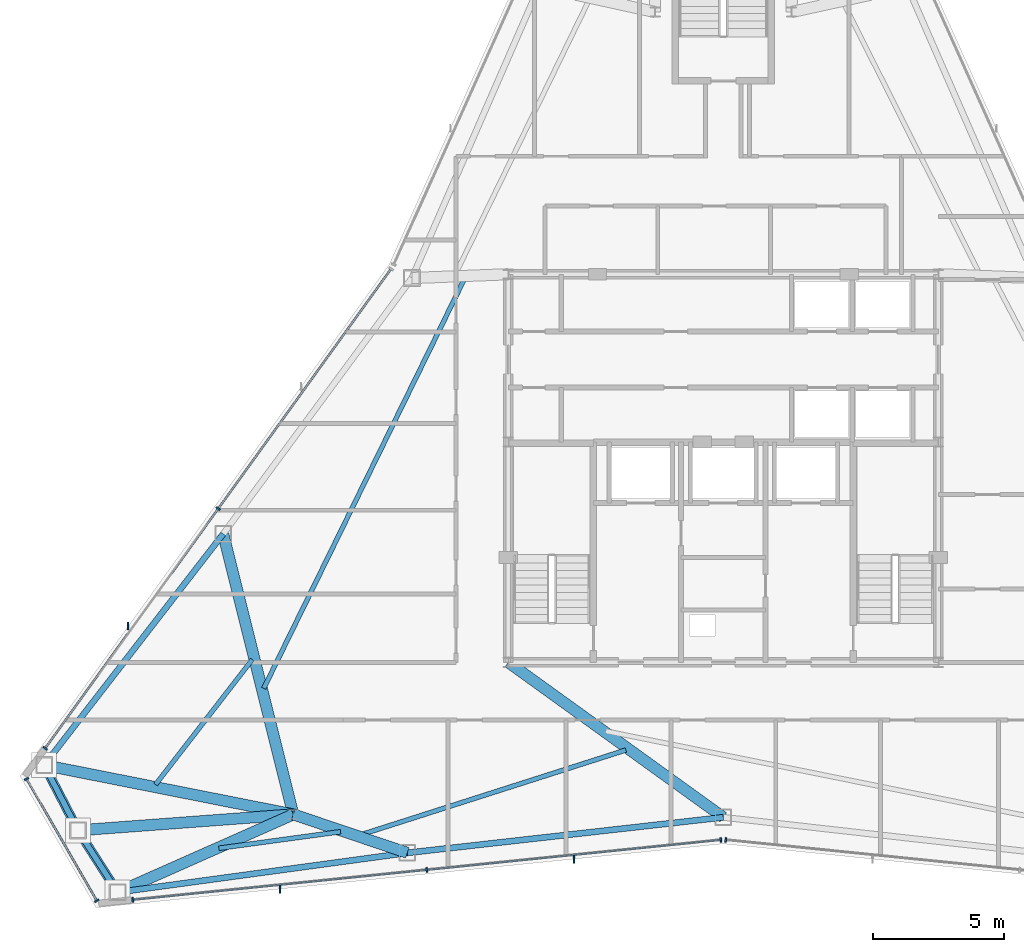
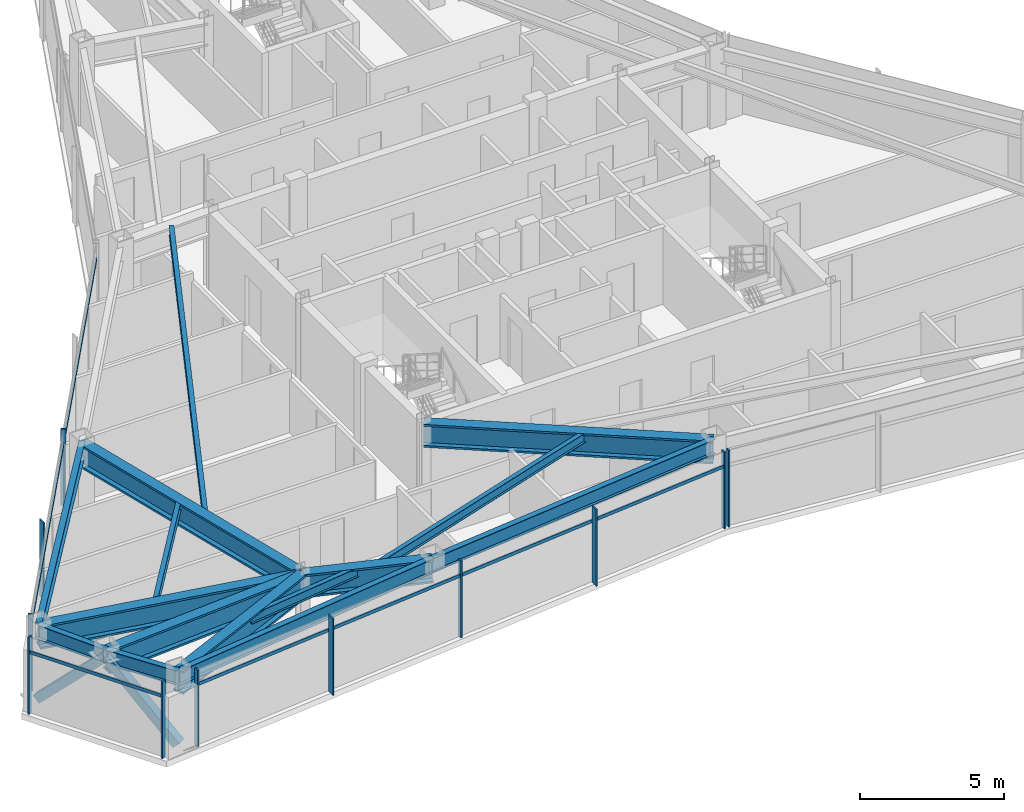
# One storey, part 3 of 12: 16 members, 15 beams, 4 elements without a shape of their own.
"""IFC4 building model written with IfcOpenShell, lengths in metres."""

from ifc_helpers import new_model, si_unit, direction, frame, origin, origin_2d, place, context, subcontext, project, spatial, rectangle, hollow_rectangle, i_section, extrude, source, transform, mapped, material, layer, layer_set, material_profile, profile_set, type_object, type_shapes, element, aggregate, save


model = new_model("IFC4")

# Units and contexts
model_context = context("Model", 3, precision=1e-05, world=origin(), true_north=direction((0.0, 1.0)))
body_context = subcontext(model_context, "Body", "Model", "MODEL_VIEW")
ifc_project = project(units=[si_unit("LENGTHUNIT", "METRE"), si_unit("AREAUNIT", "SQUARE_METRE"), si_unit("VOLUMEUNIT", "CUBIC_METRE"), si_unit("PLANEANGLEUNIT", "RADIAN"), si_unit("MASSUNIT", "GRAM", prefix="KILO")], contexts=[model_context])

# Site, building, storey
site_placement = place(None, origin())
site = spatial("IfcSite", under=ifc_project, at=site_placement, CompositionType="ELEMENT")
building_placement = place(site_placement, origin())
building = spatial("IfcBuilding", under=site, at=building_placement, Name="Varakhsha Concourse Tower", CompositionType="ELEMENT")
storey_placement = place(building_placement, frame((0.0, 0.0, 262.0)))
storey = spatial("IfcBuildingStorey", under=building, at=storey_placement, Name="L74", CompositionType="ELEMENT", Elevation=262.0)

# Beams
ifc_material_1 = material(Name="Structural Steel ASTM A992 Grade 50", Category="steel")
ifc_material_profile_1 = material_profile(ifc_material_1, i_section(OverallWidth=0.177978515625, OverallDepth=0.406982421875, WebThickness=0.008056640625, FlangeThickness=0.012939453125, at=origin_2d()), Name="W16X40")
ifc_profile_set_1 = profile_set([ifc_material_profile_1], Name="Structural Steel ASTM A992 Grade 50")
beam_type_1 = type_object("IfcBeamType", Name="BM-JST-W16X40", PredefinedType="JOIST", material=ifc_profile_set_1)
beam_1_placement = place(storey_placement, frame((30.135009765625, 31.03759765625, 3.04638671875), z_axis=(-0.440148570634, -0.897924961101, 0.0), x_axis=(0.897924961101, -0.440148570634, 0.0)))
element("IfcBeam", 1, at=beam_1_placement, inside=storey, type_object=beam_type_1, Name="BM-TJST-L74-05", PredefinedType="JOIST", context=body_context, shape_type="SweptSolid", body=[
    extrude(i_section(OverallWidth=0.177978515625, OverallDepth=0.406982421875, WebThickness=0.008056640625, FlangeThickness=0.012939453125, at=origin_2d()), origin(), (0.0, 0.0, 1.0), 17.4091796875),
])
beam_2_placement = place(storey_placement, frame((22.035888671875, 16.50341796875, 3.04638671875), z_axis=(-0.612222230768, -0.790685740452, 0.0), x_axis=(0.790685740452, -0.612222230768, 0.0)))
element("IfcBeam", 2, at=beam_2_placement, inside=storey, type_object=beam_type_1, Name="BM-TJST-L74-06", PredefinedType="JOIST", context=body_context, shape_type="SweptSolid", body=[
    extrude(i_section(OverallWidth=0.177978515625, OverallDepth=0.406982421875, WebThickness=0.008056640625, FlangeThickness=0.012939453125, at=origin_2d()), origin(), (0.0, 0.0, 1.0), 6.024658203125),
])
beam_3_placement = place(storey_placement, frame((20.760986328125, 9.30810546875, 3.04638671875), z_axis=(0.990870382928, 0.134817967037, 0.0), x_axis=(-0.134817967037, 0.990870382928, 0.0)))
element("IfcBeam", 3, at=beam_3_placement, inside=storey, type_object=beam_type_1, Name="BM-TJST-L74-09", PredefinedType="JOIST", context=body_context, shape_type="SweptSolid", body=[
    extrude(i_section(OverallWidth=0.177978515625, OverallDepth=0.406982421875, WebThickness=0.008056640625, FlangeThickness=0.012939453125, at=origin_2d()), origin(), (0.0, 0.0, 1.0), 4.6865234375),
])
beam_4_placement = place(storey_placement, frame((26.140625, 9.8125, 3.04638671875), z_axis=(0.952511924863, 0.304501285701, 0.0), x_axis=(-0.304501285701, 0.952511924863, 0.0)))
element("IfcBeam", 4, at=beam_4_placement, inside=storey, type_object=beam_type_1, Name="BM-TJST-L74-10", PredefinedType="JOIST", context=body_context, shape_type="SweptSolid", body=[
    extrude(i_section(OverallWidth=0.177978515625, OverallDepth=0.406982421875, WebThickness=0.008056640625, FlangeThickness=0.012939453125, at=origin_2d()), origin(), (0.0, 0.0, 1.0), 10.65234375),
])
ifc_material_profile_2 = material_profile(ifc_material_1, i_section(OverallWidth=0.22900390625, OverallDepth=0.612060546875, WebThickness=0.011962890625, FlangeThickness=0.02001953125, at=origin_2d()), Name="W24X84")
ifc_profile_set_2 = profile_set([ifc_material_profile_2], Name="Structural Steel ASTM A992 Grade 50")
beam_type_2 = type_object("IfcBeamType", Name="BM-SPAN-W24X84", PredefinedType="SPANDREL", material=ifc_profile_set_2)
beam_5_placement = place(storey_placement, frame((20.92724609375, 21.29736328125, 2.944091796875), z_axis=(-0.612217348488, -0.790689520741, 0.0), x_axis=(0.790689520741, -0.612217348488, 0.0)))
element("IfcBeam", 5, at=beam_5_placement, inside=storey, type_object=beam_type_2, Name="BM-SPAN-L74-06", PredefinedType="SPANDREL", context=body_context, shape_type="SweptSolid", body=[
    extrude(i_section(OverallWidth=0.22900390625, OverallDepth=0.612060546875, WebThickness=0.011962890625, FlangeThickness=0.02001953125, at=origin_2d()), origin(), (0.0, 0.0, 1.0), 11.151611328125),
])
beam_6_placement = place(storey_placement, frame((14.10009765625, 12.47998046875, 2.944091796875), z_axis=(0.460230722474, -0.887799347877, 0.0), x_axis=(0.887799347877, 0.460230722474, 0.0)))
element("IfcBeam", 6, at=beam_6_placement, inside=storey, type_object=beam_type_2, Name="BM-SPAN-L74-07", PredefinedType="SPANDREL", context=body_context, shape_type="SweptSolid", body=[
    extrude(i_section(OverallWidth=0.22900390625, OverallDepth=0.612060546875, WebThickness=0.011962890625, FlangeThickness=0.02001953125, at=origin_2d()), origin(), (0.0, 0.0, 1.0), 2.802978515625),
])
beam_7_placement = place(storey_placement, frame((15.39013671875, 9.991455078125, 2.944091796875), z_axis=(0.538762033455, -0.842457993794, 0.0), x_axis=(0.842457993794, 0.538762033455, 0.0)))
element("IfcBeam", 7, at=beam_7_placement, inside=storey, type_object=beam_type_2, Name="BM-SPAN-L74-08", PredefinedType="SPANDREL", context=body_context, shape_type="SweptSolid", body=[
    extrude(i_section(OverallWidth=0.22900390625, OverallDepth=0.612060546875, WebThickness=0.011962890625, FlangeThickness=0.02001953125, at=origin_2d()), origin(), (0.0, 0.0, 1.0), 2.80322265625),
])
beam_8_placement = place(storey_placement, frame((16.900390625, 7.6298828125, 2.944091796875), z_axis=(0.990863976686, 0.134865042565, 0.0), x_axis=(-0.134865042565, 0.990863976686, 0.0)))
element("IfcBeam", 8, at=beam_8_placement, inside=storey, type_object=beam_type_2, Name="BM-SPAN-L74-09", PredefinedType="SPANDREL", context=body_context, shape_type="SweptSolid", body=[
    extrude(i_section(OverallWidth=0.22900390625, OverallDepth=0.612060546875, WebThickness=0.011962890625, FlangeThickness=0.02001953125, at=origin_2d()), origin(), (0.0, 0.0, 1.0), 11.151123046875),
])
beam_9_placement = place(storey_placement, frame((27.94970703125, 9.1337890625, 2.944091796875), z_axis=(0.993737521425, 0.11173960136, 0.0), x_axis=(-0.11173960136, 0.993737521425, 0.0)))
element("IfcBeam", 9, at=beam_9_placement, inside=storey, type_object=beam_type_2, Name="BM-SPAN-L74-10", PredefinedType="SPANDREL", context=body_context, shape_type="SweptSolid", body=[
    extrude(i_section(OverallWidth=0.22900390625, OverallDepth=0.612060546875, WebThickness=0.011962890625, FlangeThickness=0.02001953125, at=origin_2d()), origin(), (0.0, 0.0, 1.0), 12.126220703125),
])
ifc_material_profile_3 = material_profile(ifc_material_1, i_section(OverallWidth=0.427978515625, OverallDepth=0.97509765625, WebThickness=0.050048828125, FlangeThickness=0.0810546875, at=origin_2d()), Name="W36X395")
ifc_profile_set_3 = profile_set([ifc_material_profile_3], Name="Structural Steel ASTM A992 Grade 50")
beam_type_3 = type_object("IfcBeamType", Name="BM-XFER-W36X395", PredefinedType="USERDEFINED", material=ifc_profile_set_3)
beam_10_placement = place(storey_placement, frame((23.60009765625, 10.60009765625, 2.762451171875), z_axis=(-0.242410585861, 0.970173751378, 0.0), x_axis=(-0.970173751378, -0.242410585861, 0.0)))
element("IfcBeam", 10, at=beam_10_placement, inside=storey, type_object=beam_type_3, Name="L74 Radial Floor Girder 06", ObjectType="GIRDER", PredefinedType="USERDEFINED", context=body_context, shape_type="SweptSolid", body=[
    extrude(i_section(OverallWidth=0.427978515625, OverallDepth=0.97509765625, WebThickness=0.050048828125, FlangeThickness=0.0810546875, at=origin_2d()), origin(), (0.0, 0.0, 1.0), 11.026123046875),
])
beam_11_placement = place(storey_placement, frame((23.60009765625, 10.60009765625, 2.762451171875), z_axis=(-0.980978125566, 0.194118307125, 0.0), x_axis=(-0.194118307125, -0.980978125566, 0.0)))
element("IfcBeam", 11, at=beam_11_placement, inside=storey, type_object=beam_type_3, Name="L74 Radial Floor Girder 07", ObjectType="GIRDER", PredefinedType="USERDEFINED", context=body_context, shape_type="SweptSolid", body=[
    extrude(i_section(OverallWidth=0.427978515625, OverallDepth=0.97509765625, WebThickness=0.050048828125, FlangeThickness=0.0810546875, at=origin_2d()), origin(), (0.0, 0.0, 1.0), 9.684326171875),
])
beam_12_placement = place(storey_placement, frame((23.60009765625, 10.60009765625, 2.762451171875), z_axis=(-0.997263302263, -0.073931765569, 0.0), x_axis=(0.073931765569, -0.997263302263, 0.0)))
element("IfcBeam", 12, at=beam_12_placement, inside=storey, type_object=beam_type_3, Name="L74 Radial Floor Girder 08", ObjectType="GIRDER", PredefinedType="USERDEFINED", context=body_context, shape_type="SweptSolid", body=[
    extrude(i_section(OverallWidth=0.427978515625, OverallDepth=0.97509765625, WebThickness=0.050048828125, FlangeThickness=0.0810546875, at=origin_2d()), origin(), (0.0, 0.0, 1.0), 8.232421875),
])
beam_13_placement = place(storey_placement, frame((23.60009765625, 10.60009765625, 2.762451171875), z_axis=(-0.914187563748, -0.405291374556, 0.0), x_axis=(0.405291374556, -0.914187563748, 0.0)))
element("IfcBeam", 13, at=beam_13_placement, inside=storey, type_object=beam_type_3, Name="L74 Radial Floor Girder 09", ObjectType="GIRDER", PredefinedType="USERDEFINED", context=body_context, shape_type="SweptSolid", body=[
    extrude(i_section(OverallWidth=0.427978515625, OverallDepth=0.97509765625, WebThickness=0.050048828125, FlangeThickness=0.0810546875, at=origin_2d()), origin(), (0.0, 0.0, 1.0), 7.32861328125),
])
beam_14_placement = place(storey_placement, frame((23.60009765625, 10.60009765625, 2.762451171875), z_axis=(0.947603418082, -0.319449154075, 0.0), x_axis=(0.319449154075, 0.947603418082, 0.0)))
element("IfcBeam", 14, at=beam_14_placement, inside=storey, type_object=beam_type_3, Name="L74 Radial Floor Girder 10", ObjectType="GIRDER", PredefinedType="USERDEFINED", context=body_context, shape_type="SweptSolid", body=[
    extrude(i_section(OverallWidth=0.427978515625, OverallDepth=0.97509765625, WebThickness=0.050048828125, FlangeThickness=0.0810546875, at=origin_2d()), origin(), (0.0, 0.0, 1.0), 4.590087890625),
])
beam_15_placement = place(storey_placement, frame((31.800048828125, 16.39990234375, 2.762451171875), z_axis=(0.811197960411, -0.584771638356, 0.0), x_axis=(0.584771638356, 0.811197960411, 0.0)))
element("IfcBeam", 15, at=beam_15_placement, inside=storey, type_object=beam_type_3, Name="L74 Radial Floor Girder 11", ObjectType="GIRDER", PredefinedType="USERDEFINED", context=body_context, shape_type="SweptSolid", body=[
    extrude(i_section(OverallWidth=0.427978515625, OverallDepth=0.97509765625, WebThickness=0.050048828125, FlangeThickness=0.0810546875, at=origin_2d()), origin(), (0.0, 0.0, 1.0), 10.1083984375),
])

# Members
ifc_material_2 = material(Name="Structural Steel ASTM A500 Grade C", Category="steel")
ifc_material_profile_4 = material_profile(ifc_material_2, hollow_rectangle(XDim=0.35009765625, YDim=0.35009765625, WallThickness=0.01611328125, at=origin_2d()), Name="HSS 350x350x16")
ifc_profile_set_4 = profile_set([ifc_material_profile_4], Name="Structural Steel ASTM A500 Grade C")
member_type_1 = type_object("IfcMemberType", Name="MB-TUBE-HSS350", PredefinedType="BRACE", material=ifc_profile_set_4)
shared_shape_1 = source(origin(), body_context, "Body", "SweptSolid", [
    extrude(hollow_rectangle(XDim=0.35009765625, YDim=0.35009765625, WallThickness=0.01611328125, at=origin_2d()), origin(), (0.0, 0.0, 1.0), 3.983154296875),
])
type_shapes(member_type_1, [shared_shape_1])
for number, where, z_axis, x_axis, name in (
    (16, (14.10009765625, 12.47998046875, 0.1201171875), (0.323879843478, -0.624774270359, 0.710463903436), (0.887799347877, 0.460230722474, 0.0), "L74 Wind-Corner Tube Brace B03"),
    (17, (16.900390625, 7.6298828125, 0.1201171875), (-0.37915630707, 0.592883763061, 0.710443057752), (-0.842457993794, -0.538762033455, 0.0), "L74 Wind-Corner Tube Brace B04"),
):
    element("IfcMember", number, at=place(storey_placement, frame(where, z_axis=z_axis, x_axis=x_axis)), inside=storey, type_object=member_type_1, Name=name, PredefinedType="BRACE", context=body_context, shape_type="MappedRepresentation", body=[
        mapped(shared_shape_1, transform((0.0, 0.0, 0.0), scale=1.0)),
    ])

# Curtain wall, members
ifc_material_3 = material(Name="Anodised Bronze Architectural Aluminium AA 6063-T6", Category="aluminium")
ifc_layer = layer(ifc_material_3, 0.199951171875, Name="CW-SYS-05")
ifc_layer_set = layer_set([ifc_layer], Name="Anodised Bronze Architectural Aluminium AA 6063-T6")
curtain_wall_type = type_object("IfcCurtainWallType", Name="CW-SYS-05", PredefinedType="NOTDEFINED", material=ifc_layer_set)
curtain_wall_1_placement = place(storey_placement, origin())
curtain_wall_1 = element("IfcCurtainWall", 18, at=curtain_wall_1_placement, inside=storey, type_object=curtain_wall_type, Name="L74 Crystal Curtain Wall F3", PredefinedType="NOTDEFINED")
ifc_material_profile_5 = material_profile(ifc_material_3, rectangle(XDim=0.06494140625, YDim=0.179931640625, at=origin_2d()), Name="CWM-180X65")
ifc_profile_set_5 = profile_set([ifc_material_profile_5], Name="Anodised Bronze Architectural Aluminium AA 6063-T6")
member_type_2 = type_object("IfcMemberType", Name="CWM-180X65", PredefinedType="MULLION", material=ifc_profile_set_5)
shared_shape_2 = source(origin(), body_context, "Body", "SweptSolid", [
    extrude(rectangle(XDim=0.06494140625, YDim=0.179931640625, at=origin_2d()), origin(), (0.0, 0.0, 1.0), 3.25),
])
type_shapes(member_type_2, [shared_shape_2])
member_1_placement = place(storey_placement, frame((14.138671875, 13.120849609375, 0.0), z_axis=(0.0, 0.0, 1.0), x_axis=(0.585188389778, 0.81089737234, 0.0)))
member_1 = element("IfcMember", 19, at=member_1_placement, type_object=member_type_2, Name="CW-L74-F3 Mullion 00", PredefinedType="MULLION", context=body_context, shape_type="MappedRepresentation", body=[
    mapped(shared_shape_2, transform((0.0, 0.0, 0.0), scale=1.0)),
])
member_2_placement = place(storey_placement, frame((20.735595703125, 22.261962890625, 0.0), z_axis=(0.0, 0.0, 1.0), x_axis=(0.585188389778, 0.81089737234, 0.0)))
member_2 = element("IfcMember", 20, at=member_2_placement, type_object=member_type_2, Name="CW-L74-F3 Mullion 01", PredefinedType="MULLION", context=body_context, shape_type="MappedRepresentation", body=[
    mapped(shared_shape_2, transform((0.0, 0.0, 0.0), scale=1.0)),
])

curtain_wall_2_placement = place(storey_placement, origin())
curtain_wall_2 = element("IfcCurtainWall", 21, at=curtain_wall_2_placement, inside=storey, type_object=curtain_wall_type, Name="L74 Chamfer Curtain Wall F4", PredefinedType="NOTDEFINED")
member_3_placement = place(storey_placement, frame((16.106689453125, 7.310546875, 0.0), z_axis=(0.0, 0.0, 1.0), x_axis=(-0.5, 0.866025403784, 0.0)))
member_3 = element("IfcMember", 22, at=member_3_placement, type_object=member_type_2, Name="CW-L74-F4 Mullion 00", PredefinedType="MULLION", context=body_context, shape_type="MappedRepresentation", body=[
    mapped(shared_shape_2, transform((0.0, 0.0, 0.0), scale=1.0)),
])
member_4_placement = place(storey_placement, frame((13.426513671875, 11.952392578125, 0.0), z_axis=(0.0, 0.0, 1.0), x_axis=(-0.5, 0.866025403784, 0.0)))
member_4 = element("IfcMember", 23, at=member_4_placement, type_object=member_type_2, Name="CW-L74-F4 Mullion 01", PredefinedType="MULLION", context=body_context, shape_type="MappedRepresentation", body=[
    mapped(shared_shape_2, transform((0.0, 0.0, 0.0), scale=1.0)),
])

curtain_wall_3_placement = place(storey_placement, origin())
curtain_wall_3 = element("IfcCurtainWall", 24, at=curtain_wall_3_placement, inside=storey, type_object=curtain_wall_type, Name="L74 Crystal Curtain Wall F5", PredefinedType="NOTDEFINED")
member_5_placement = place(storey_placement, frame((39.904296875, 9.627685546875, 0.0), z_axis=(0.0, 0.0, 1.0), x_axis=(-0.994852272933, -0.101335852689, 0.0)))
member_5 = element("IfcMember", 25, at=member_5_placement, type_object=member_type_2, Name="CW-L74-F5 Mullion 00", PredefinedType="MULLION", context=body_context, shape_type="MappedRepresentation", body=[
    mapped(shared_shape_2, transform((0.0, 0.0, 0.0), scale=1.0)),
])
member_6_placement = place(storey_placement, frame((28.689208984375, 8.4853515625, 0.0), z_axis=(0.0, 0.0, 1.0), x_axis=(-0.994852272933, -0.101335852689, 0.0)))
member_6 = element("IfcMember", 26, at=member_6_placement, type_object=member_type_2, Name="CW-L74-F5 Mullion 01", PredefinedType="MULLION", context=body_context, shape_type="MappedRepresentation", body=[
    mapped(shared_shape_2, transform((0.0, 0.0, 0.0), scale=1.0)),
])
member_7_placement = place(storey_placement, frame((17.474609375, 7.343017578125, 0.0), z_axis=(0.0, 0.0, 1.0), x_axis=(-0.994852272933, -0.101335852689, 0.0)))
member_7 = element("IfcMember", 27, at=member_7_placement, type_object=member_type_2, Name="CW-L74-F5 Mullion 02", PredefinedType="MULLION", context=body_context, shape_type="MappedRepresentation", body=[
    mapped(shared_shape_2, transform((0.0, 0.0, 0.0), scale=1.0)),
])

# Curtain wall, member
curtain_wall_4_placement = place(storey_placement, origin())
curtain_wall_4 = element("IfcCurtainWall", 28, at=curtain_wall_4_placement, inside=storey, type_object=curtain_wall_type, Name="L74 Crystal Curtain Wall F6", PredefinedType="NOTDEFINED")
member_8_placement = place(storey_placement, frame((40.095703125, 9.627685546875, 0.0), z_axis=(0.0, 0.0, 1.0), x_axis=(-0.994852272933, 0.101335852689, 0.0)))
member_8 = element("IfcMember", 29, at=member_8_placement, type_object=member_type_2, Name="CW-L74-F6 Mullion 02", PredefinedType="MULLION", context=body_context, shape_type="MappedRepresentation", body=[
    mapped(shared_shape_2, transform((0.0, 0.0, 0.0), scale=1.0)),
])
aggregate(curtain_wall_4, [member_8])

# Member
ifc_material_profile_6 = material_profile(ifc_material_3, rectangle(XDim=0.054931640625, YDim=0.300048828125, at=origin_2d()), Name="FIN-BRZ-300")
ifc_profile_set_6 = profile_set([ifc_material_profile_6], Name="Anodised Bronze Architectural Aluminium AA 6063-T6")
member_type_3 = type_object("IfcMemberType", Name="FIN-BRZ-300", PredefinedType="USERDEFINED", material=ifc_profile_set_6)
shared_shape_3 = source(origin(), body_context, "Body", "SweptSolid", [
    extrude(rectangle(XDim=0.054931640625, YDim=0.300048828125, at=origin_2d()), origin(), (0.0, 0.0, 1.0), 3.25),
])
type_shapes(member_type_3, [shared_shape_3])
member_9_placement = place(storey_placement, frame((17.30322265625, 17.787841796875, 0.0), z_axis=(0.0, 0.0, 1.0), x_axis=(1.0, 0.0, 0.0)))
member_9 = element("IfcMember", 30, at=member_9_placement, type_object=member_type_3, Name="L74 Anodised Bronze Solar Fin F3-1", ObjectType="SOLAR FIN", PredefinedType="USERDEFINED", context=body_context, shape_type="MappedRepresentation", body=[
    mapped(shared_shape_3, transform((0.0, 0.0, 0.0), scale=1.0)),
])

member_10_placement = place(storey_placement, frame((34.3134765625, 8.892578125, 0.0), z_axis=(0.0, 0.0, 1.0), x_axis=(1.0, 0.0, 0.0)))
member_10 = element("IfcMember", 31, at=member_10_placement, type_object=member_type_3, Name="L74 Anodised Bronze Solar Fin F5-1", ObjectType="SOLAR FIN", PredefinedType="USERDEFINED", context=body_context, shape_type="MappedRepresentation", body=[
    mapped(shared_shape_3, transform((0.0, 0.0, 0.0), scale=1.0)),
])

member_11_placement = place(storey_placement, frame((23.0986328125, 7.75, 0.0), z_axis=(0.0, 0.0, 1.0), x_axis=(1.0, 0.0, 0.0)))
member_11 = element("IfcMember", 32, at=member_11_placement, type_object=member_type_3, Name="L74 Anodised Bronze Solar Fin F5-2", ObjectType="SOLAR FIN", PredefinedType="USERDEFINED", context=body_context, shape_type="MappedRepresentation", body=[
    mapped(shared_shape_3, transform((0.0, 0.0, 0.0), scale=1.0)),
])

ifc_material_profile_7 = material_profile(ifc_material_3, rectangle(XDim=0.06005859375, YDim=0.139892578125, at=origin_2d()), Name="CWT-140X60")
ifc_profile_set_7 = profile_set([ifc_material_profile_7], Name="Anodised Bronze Architectural Aluminium AA 6063-T6")
member_type_4 = type_object("IfcMemberType", Name="CWT-140X60", PredefinedType="USERDEFINED", material=ifc_profile_set_7)
shared_shape_4 = source(origin(), body_context, "Body", "SweptSolid", [
    extrude(rectangle(XDim=0.06005859375, YDim=0.139892578125, at=origin_2d()), origin(), (0.0, 0.0, 1.0), 5.360107421875),
])
member_12_placement = place(storey_placement, frame((16.106689453125, 7.310546875, 2.60009765625), z_axis=(-0.500028672299, 0.866008849192, 0.0), x_axis=(-0.866008849192, -0.500028672299, 0.0)))
member_12 = element("IfcMember", 33, at=member_12_placement, type_object=member_type_4, Name="CW-L74-F4 Transom 01", ObjectType="TRANSOM", PredefinedType="USERDEFINED", context=body_context, shape_type="MappedRepresentation", body=[
    mapped(shared_shape_4, transform((0.0, 0.0, 0.0), scale=1.0)),
])

aggregate(curtain_wall_2, [member_3, member_4, member_12])

shared_shape_5 = source(origin(), body_context, "Body", "SweptSolid", [
    extrude(rectangle(XDim=0.06005859375, YDim=0.139892578125, at=origin_2d()), origin(), (0.0, 0.0, 1.0), 22.545654296875),
])
type_shapes(member_type_4, [shared_shape_4, shared_shape_5])
member_13_placement = place(storey_placement, frame((14.138671875, 13.120849609375, 2.60009765625), z_axis=(0.585192407215, 0.810894473121, 0.0), x_axis=(-0.810894473121, 0.585192407215, 0.0)))
member_13 = element("IfcMember", 34, at=member_13_placement, type_object=member_type_4, Name="CW-L74-F3 Transom 01", ObjectType="TRANSOM", PredefinedType="USERDEFINED", context=body_context, shape_type="MappedRepresentation", body=[
    mapped(shared_shape_5, transform((0.0, 0.0, 0.0), scale=1.0)),
])

aggregate(curtain_wall_1, [member_1, member_2, member_13, member_9])

member_14_placement = place(storey_placement, frame((39.904296875, 9.627685546875, 2.60009765625), z_axis=(-0.994852382543, -0.1013347766, 0.0), x_axis=(0.1013347766, -0.994852382543, 0.0)))
member_14 = element("IfcMember", 35, at=member_14_placement, type_object=member_type_4, Name="CW-L74-F5 Transom 01", ObjectType="TRANSOM", PredefinedType="USERDEFINED", context=body_context, shape_type="MappedRepresentation", body=[
    mapped(shared_shape_5, transform((0.0, 0.0, 0.0), scale=1.0)),
])

aggregate(curtain_wall_3, [member_5, member_6, member_7, member_14, member_10, member_11])

save(model, "model.ifc")
